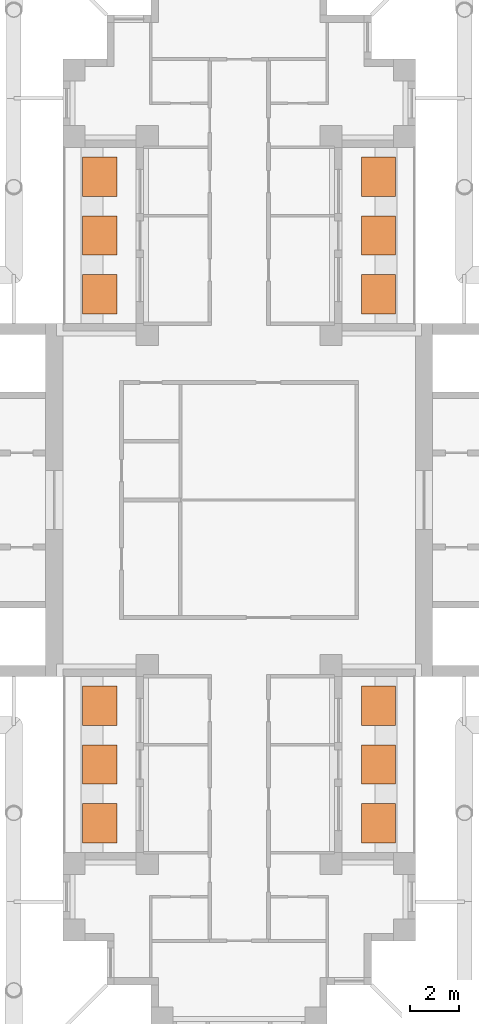
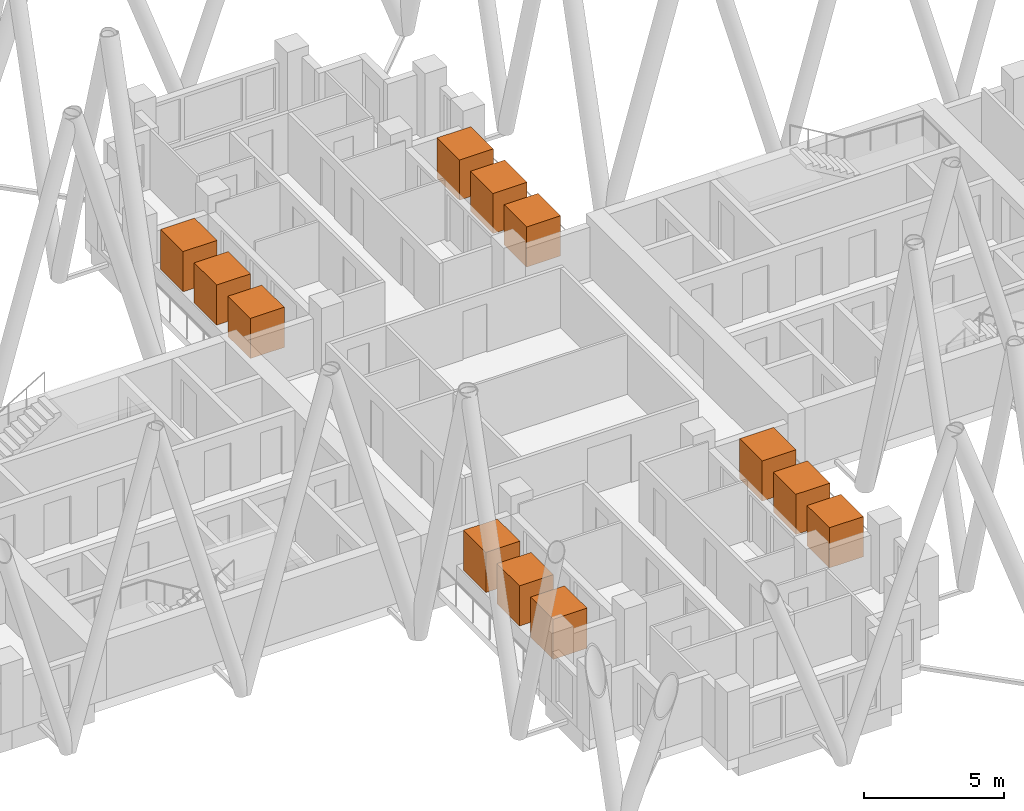
# One storey, part 13 of 13: 12 geographic elements.
"""IFC4 building model written with IfcOpenShell, lengths in metres."""

import ifcopenshell
import ifcopenshell.guid

model = None  # the IFC model being written
_history = None  # IfcOwnerHistory: only IFC2X3 demands one
_inside = {}  # id of a spatial element -> (the spatial element, [elements in it])
_under = {}  # id of a project, library or spatial element -> (it, [spatial elements below it])
_declared = {}  # id of a project -> (the project, [libraries it declares])
_typed = {}  # id of a type object -> (the type object, [elements of that type])
_made_of = {}  # id of a material, layer set ... -> (it, [elements and type objects made of it])


def new_model(schema):
    """Start an empty IFC model of exactly this schema.

    Asked for "IFC4X3", IfcOpenShell would pick the latest addendum, in which some entities
    have other attributes; the version numbers below select the first issue.
    IFC2X3 requires an IfcOwnerHistory on every rooted entity: one is made here for all.
    """
    global model, _history
    if schema == "IFC4X3":
        model = ifcopenshell.file(schema_version=(4, 3, 0, 0))
    else:
        model = ifcopenshell.file(schema=schema)
    _inside.clear()
    _under.clear()
    _declared.clear()
    _typed.clear()
    _made_of.clear()
    _history = None
    if model.schema == "IFC2X3":
        org = make("IfcOrganization", Name="unknown")
        user = make(
            "IfcPersonAndOrganization",
            ThePerson=make("IfcPerson", FamilyName="unknown"),
            TheOrganization=org,
        )
        app = make(
            "IfcApplication",
            ApplicationDeveloper=org,
            Version="unknown",
            ApplicationFullName="unknown",
            ApplicationIdentifier="unknown",
        )
        _history = make(
            "IfcOwnerHistory",
            OwningUser=user,
            OwningApplication=app,
            ChangeAction="ADDED",
            CreationDate=0,
        )
    return model


def make(cls, **values):
    """One entity of the class cls with the attributes given. An attribute that is None is left unset."""
    return model.create_entity(
        cls, **{name: value for name, value in values.items() if value is not None}
    )


def rooted(cls, **values):
    """An entity with a GlobalId (a new one), such as an element, a storey or a relation."""
    return make(cls, GlobalId=ifcopenshell.guid.new(), OwnerHistory=_history, **values)


def si_unit(unit_type, name, prefix=None):
    """IfcSIUnit, for example si_unit("LENGTHUNIT", "METRE", prefix="MILLI")."""
    return make("IfcSIUnit", UnitType=unit_type, Prefix=prefix, Name=name)


def assignment(units):
    """IfcUnitAssignment: the units of a project."""
    return None if units is None else make("IfcUnitAssignment", Units=units)


def point(xyz):
    """IfcCartesianPoint."""
    return None if xyz is None else make("IfcCartesianPoint", Coordinates=xyz)


def direction(xyz):
    """IfcDirection."""
    return None if xyz is None else make("IfcDirection", DirectionRatios=xyz)


def frame(location, z_axis=None, x_axis=None):
    """IfcAxis2Placement3D, a coordinate frame: its origin and axes. An axis left out is left unset."""
    return make(
        "IfcAxis2Placement3D",
        Location=point(location),
        Axis=direction(z_axis),
        RefDirection=direction(x_axis),
    )


def frame_2d(location, x_axis=None):
    """IfcAxis2Placement2D, a coordinate frame in the plane: its origin and x axis."""
    return make(
        "IfcAxis2Placement2D", Location=point(location), RefDirection=direction(x_axis)
    )


def origin():
    """The frame at (0, 0, 0) with its axes left unset."""
    return frame((0.0, 0.0, 0.0))


def origin_2d():
    """The frame at (0, 0) in the plane with its x axis left unset."""
    return frame_2d((0.0, 0.0))


def place(relative_to, where):
    """IfcLocalPlacement: puts the frame where relative to a parent placement (None: the world)."""
    return make(
        "IfcLocalPlacement", PlacementRelTo=relative_to, RelativePlacement=where
    )


def context(
    kind, dimensions, precision=None, world=None, true_north=None, identifier=None
):
    """IfcGeometricRepresentationContext, for example the 3D "Model" context."""
    return make(
        "IfcGeometricRepresentationContext",
        ContextIdentifier=identifier,
        ContextType=kind,
        CoordinateSpaceDimension=dimensions,
        Precision=precision,
        WorldCoordinateSystem=world,
        TrueNorth=true_north,
    )


def subcontext(parent, identifier, kind, view, scale=None):
    """IfcGeometricRepresentationSubContext, for example "Body" below "Model"."""
    return make(
        "IfcGeometricRepresentationSubContext",
        ContextIdentifier=identifier,
        ContextType=kind,
        ParentContext=parent,
        TargetScale=scale,
        TargetView=view,
    )


def project(units=None, contexts=None):
    """IfcProject with its units and contexts."""
    return rooted(
        "IfcProject",
        Name="project",
        RepresentationContexts=contexts,
        UnitsInContext=assignment(units),
    )


def spatial(cls, under=None, at=None, **own):
    """A site, building, storey or space (cls), placed at a placement, below another one or the project."""
    s = rooted(cls, ObjectPlacement=at, **own)
    if under is not None:
        _under.setdefault(under.id(), (under, []))[1].append(s)
    return s


def profile(cls, at=None, kind="AREA", **sizes):
    """A parametric profile (cls). Its sizes go by their IFC names, for example OverallWidth=200.0."""
    return make(cls, ProfileType=kind, Position=at, **sizes)


def rectangle(**sizes):
    """IfcRectangleProfileDef."""
    return profile("IfcRectangleProfileDef", **sizes)


def extrude(swept, where, along, depth):
    """IfcExtrudedAreaSolid: the profile swept, set in the frame where, extruded along a direction by depth."""
    return make(
        "IfcExtrudedAreaSolid",
        SweptArea=swept,
        Position=where,
        ExtrudedDirection=direction(along),
        Depth=depth,
    )


def shape(context_of_items, identifier, shape_type, items):
    """IfcShapeRepresentation: the items that make up one representation, for example the "Body"."""
    return make(
        "IfcShapeRepresentation",
        ContextOfItems=context_of_items,
        RepresentationIdentifier=identifier,
        RepresentationType=shape_type,
        Items=items,
    )


def material(Name=None, Category=None):
    """IfcMaterial."""
    return make("IfcMaterial", Name=Name, Category=Category)


def made_of(thing, what):
    """Note that an element or type object is made of a material, layer set ...; save() writes the relation."""
    if what is not None:
        _made_of.setdefault(what.id(), (what, []))[1].append(thing)
    return thing


def element(
    cls,
    number,
    at=None,
    inside=None,
    cuts=None,
    type_object=None,
    material=None,
    context=None,
    identifier="Body",
    shape_type=None,
    held_by="IfcProductDefinitionShape",
    body=None,
    shapes=None,
    **own,
):
    """One element of the class cls, such as IfcWall. Its Tag is "e" and its number.

    at: its placement. inside: the storey or other place that contains it. cuts: it is an
    opening in that element (IfcRelVoidsElement). A single representation is given by context,
    identifier, shape_type and body (its items); several are given by shapes. held_by: the class
    of the entity that holds the representations. save() writes the other relations.
    """
    e = rooted(cls, Tag="e%d" % number, ObjectPlacement=at, **own)
    if body is not None:
        shapes = [shape(context, identifier, shape_type, body)]
    if shapes is not None:
        e.Representation = make(held_by, Representations=shapes)
    if inside is not None:
        _inside.setdefault(inside.id(), (inside, []))[1].append(e)
    if cuts is not None:
        rooted(
            "IfcRelVoidsElement", RelatingBuildingElement=cuts, RelatedOpeningElement=e
        )
    if type_object is not None:
        _typed.setdefault(type_object.id(), (type_object, []))[1].append(e)
    return made_of(e, material)


def aggregate(whole, parts):
    """IfcRelAggregates: a whole, such as a stair, and the parts it consists of."""
    return rooted("IfcRelAggregates", RelatingObject=whole, RelatedObjects=parts)


def save(model, path):
    """Write the relations noted so far, then the file.

    IfcRelAggregates (storeys below a building ...), IfcRelContainedInSpatialStructure (elements
    in a storey), IfcRelDefinesByType, IfcRelAssociatesMaterial and IfcRelDeclares: one each for
    every whole, place, type object, material and project.
    """
    for whole, parts in _under.values():
        aggregate(whole, parts)
    for where, things in _inside.values():
        rooted(
            "IfcRelContainedInSpatialStructure",
            RelatedElements=things,
            RelatingStructure=where,
        )
    for kind, things in _typed.values():
        rooted("IfcRelDefinesByType", RelatedObjects=things, RelatingType=kind)
    for what, things in _made_of.values():
        rooted("IfcRelAssociatesMaterial", RelatedObjects=things, RelatingMaterial=what)
    for by, libraries in _declared.values():
        rooted("IfcRelDeclares", RelatingContext=by, RelatedDefinitions=libraries)
    model.write(path)


model = new_model("IFC4")

# Units and contexts
model_context = context("Model", 3, precision=1e-05, world=origin(), true_north=direction((0.0, 1.0)))
body_context = subcontext(model_context, "Body", "Model", "MODEL_VIEW")
ifc_project = project(units=[si_unit("LENGTHUNIT", "METRE"), si_unit("AREAUNIT", "SQUARE_METRE"), si_unit("VOLUMEUNIT", "CUBIC_METRE"), si_unit("PLANEANGLEUNIT", "RADIAN"), si_unit("MASSUNIT", "GRAM", prefix="KILO")], contexts=[model_context])

# Site, building, storey
site_placement = place(None, origin())
site = spatial("IfcSite", under=ifc_project, at=site_placement, CompositionType="ELEMENT")
building_placement = place(site_placement, origin())
building = spatial("IfcBuilding", under=site, at=building_placement, Name="Fustian Cross Tower", CompositionType="ELEMENT")
storey_placement = place(building_placement, frame((0.0, 0.0, 153.300048828125)))
storey = spatial("IfcBuildingStorey", under=building, at=storey_placement, Name="L48", CompositionType="ELEMENT", Elevation=153.300048828125)

# Geographic elements
ifc_material = material(Name="Evergreen foliage")
for number, where, z_axis, x_axis, name in (
    (1, (5.68994140625, 8.39990234375, 0.800048828125), (0.0, 0.0, 1.0), (1.0, 0.0, 0.0), "TREE field maple"),
    (2, (5.68994140625, 10.800048828125, 0.800048828125), (0.0, 0.0, 1.0), (1.0, 0.0, 0.0), "TREE field maple"),
    (3, (5.68994140625, 13.199951171875, 0.800048828125), (0.0, 0.0, 1.0), (1.0, 0.0, 0.0), "TREE field maple"),
    (4, (-5.68994140625, 8.39990234375, 0.800048828125), (0.0, 0.0, 1.0), (1.0, 0.0, 0.0), "TREE field maple"),
    (5, (-5.68994140625, 10.800048828125, 0.800048828125), (0.0, 0.0, 1.0), (1.0, 0.0, 0.0), "TREE field maple"),
    (6, (-5.68994140625, 13.199951171875, 0.800048828125), (0.0, 0.0, 1.0), (1.0, 0.0, 0.0), "TREE field maple"),
    (7, (5.68994140625, -13.199951171875, 0.800048828125), (0.0, 0.0, 1.0), (1.0, 0.0, 0.0), "TREE field maple"),
    (8, (5.68994140625, -10.800048828125, 0.800048828125), (0.0, 0.0, 1.0), (1.0, 0.0, 0.0), "TREE field maple"),
    (9, (5.68994140625, -8.39990234375, 0.800048828125), (0.0, 0.0, 1.0), (1.0, 0.0, 0.0), "TREE field maple"),
    (10, (-5.68994140625, -13.199951171875, 0.800048828125), (0.0, 0.0, 1.0), (1.0, 0.0, 0.0), "TREE field maple"),
    (11, (-5.68994140625, -10.800048828125, 0.800048828125), (0.0, 0.0, 1.0), (1.0, 0.0, 0.0), "TREE field maple"),
    (12, (-5.68994140625, -8.39990234375, 0.800048828125), (0.0, 0.0, 1.0), (1.0, 0.0, 0.0), "TREE field maple"),
):
    element("IfcGeographicElement", number, at=place(storey_placement, frame(where, z_axis=z_axis, x_axis=x_axis)), inside=storey, material=ifc_material, Name=name, ObjectType="VEGETATION", PredefinedType="USERDEFINED", context=body_context, shape_type="SweptSolid", body=[
        extrude(rectangle(XDim=1.39990234375, YDim=1.60009765625, at=origin_2d()), origin(), (0.0, 0.0, 1.0), 1.75),
    ])

save(model, "model.ifc")
